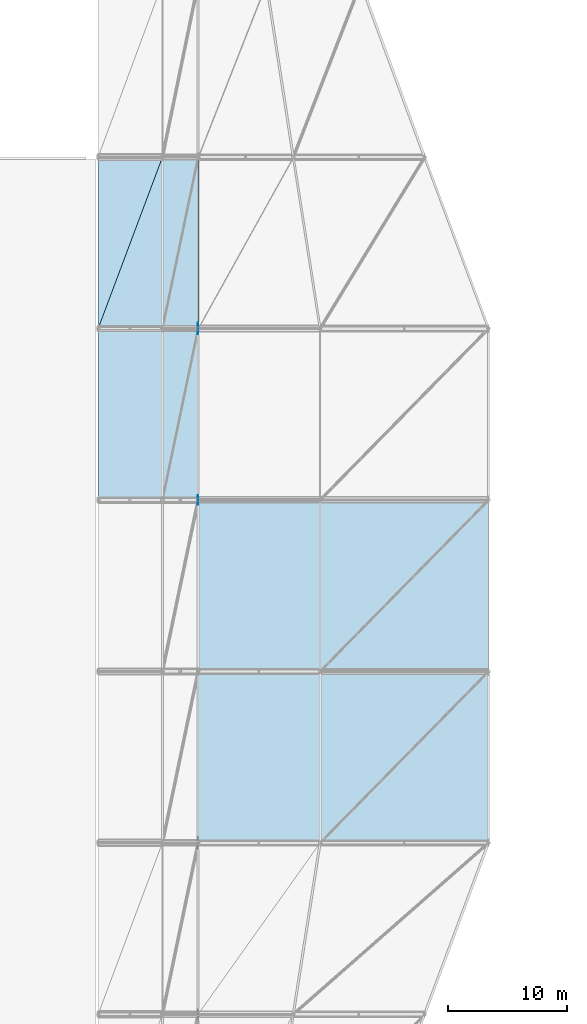
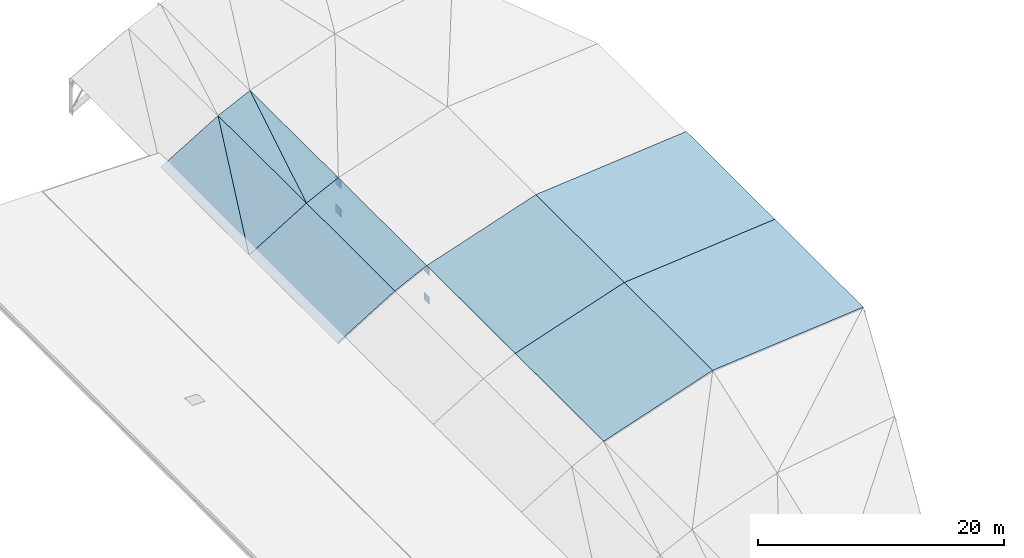
# One storey, part 26 of 36: 10 slabs, 4 plates.
"""IFC4 building model written with IfcOpenShell, lengths in metres."""

from ifc_helpers import new_model, si_unit, direction, frame, origin, origin_2d, place, context, subcontext, project, spatial, polyline, rectangle, outline, extrude, material, layer, layer_set, type_object, element, save


model = new_model("IFC4")

# Units and contexts
model_context = context("Model", 3, precision=1e-05, world=origin(), true_north=direction((0.0, 1.0)))
body_context = subcontext(model_context, "Body", "Model", "MODEL_VIEW")
ifc_project = project(units=[si_unit("LENGTHUNIT", "METRE"), si_unit("AREAUNIT", "SQUARE_METRE"), si_unit("VOLUMEUNIT", "CUBIC_METRE"), si_unit("PLANEANGLEUNIT", "RADIAN"), si_unit("MASSUNIT", "GRAM", prefix="KILO")], contexts=[model_context])

# Site, building, storey
site_placement = place(None, origin())
site = spatial("IfcSite", under=ifc_project, at=site_placement, CompositionType="ELEMENT")
building_placement = place(site_placement, origin())
building = spatial("IfcBuilding", under=site, at=building_placement, Name="Koshinbarg Plaza Stadium", CompositionType="ELEMENT")
storey_placement = place(building_placement, frame((0.0, 0.0, 34.199951171875)))
storey = spatial("IfcBuildingStorey", under=building, at=storey_placement, Name="RF", CompositionType="ELEMENT", Elevation=34.199951171875)

# Plates
ifc_material_1 = material(Name="Steel S355", Category="steel")
ifc_layer_1 = layer(ifc_material_1, 0.034912109375)
ifc_layer_set_1 = layer_set([ifc_layer_1], Name="Steel S355")
plate_type_1 = type_object("IfcPlateType", Name="PLT-GUS-02", PredefinedType="USERDEFINED", material=ifc_layer_set_1)
for number, where, z_axis, x_axis, name in (
    (1, (54.60009765625, 83.10009765625, 2.41015625), (0.0, 0.0, 1.0), (1.0, 0.0, 0.0), "Roof truss node cap plate KN-03 WRB-05-3T"),
    (2, (54.60009765625, 83.10009765625, -0.39013671875), (0.0, 0.0, 1.0), (1.0, 0.0, 0.0), "Roof truss node cap plate KN-03 WRB-05-3B"),
):
    element("IfcPlate", number, at=place(storey_placement, frame(where, z_axis=z_axis, x_axis=x_axis)), inside=storey, type_object=plate_type_1, Name=name, ObjectType="GUSSET_PLATE", PredefinedType="USERDEFINED", context=body_context, shape_type="SweptSolid", body=[
        extrude(rectangle(XDim=0.034912109375, YDim=0.800048828125, at=origin_2d()), origin(), (0.0, 0.0, 1.0), 0.699951171875),
    ])
ifc_layer_2 = layer(ifc_material_1, 0.0380859375)
ifc_layer_set_2 = layer_set([ifc_layer_2], Name="Steel S355")
plate_type_2 = type_object("IfcPlateType", Name="PLT-GUS-03", PredefinedType="USERDEFINED", material=ifc_layer_set_2)
for number, where, z_axis, x_axis, name in (
    (3, (54.60009765625, 97.5, 2.35986328125), (0.0, 0.0, 1.0), (1.0, 0.0, 0.0), "Roof truss node cap plate KN-03 WRB-06-3T"),
    (4, (54.60009765625, 97.5, -0.43994140625), (0.0, 0.0, 1.0), (1.0, 0.0, 0.0), "Roof truss node cap plate KN-03 WRB-06-3B"),
):
    element("IfcPlate", number, at=place(storey_placement, frame(where, z_axis=z_axis, x_axis=x_axis)), inside=storey, type_object=plate_type_2, Name=name, ObjectType="GUSSET_PLATE", PredefinedType="USERDEFINED", context=body_context, shape_type="SweptSolid", body=[
        extrude(rectangle(XDim=0.0380859375, YDim=0.949951171875, at=origin_2d()), origin(), (0.0, 0.0, 1.0), 0.800048828125),
    ])

# Slabs
ifc_material_2 = material(Name="Precast concrete C40/50", Category="concrete")
ifc_layer_3 = layer(ifc_material_2, 0.159912109375)
ifc_layer_set_3 = layer_set([ifc_layer_3], Name="Precast concrete C40/50")
slab_type = type_object("IfcSlabType", Name="SL-BARRELDECK-160", PredefinedType="ROOF", material=ifc_layer_set_3)
slab_1_placement = place(storey_placement, frame((54.60009765625, 54.300048828125, 3.199951171875), z_axis=(-0.319969871027, 0.0, 0.947427718422), x_axis=(0.947427718422, 0.0, 0.319969871027)))
element("IfcSlab", 5, at=slab_1_placement, inside=storey, type_object=slab_type, Name="Quarter-barrel stand roof deck west bay 3.3", PredefinedType="ROOF", context=body_context, shape_type="SweptSolid", body=[
    extrude(outline(polyline([(0.0, 0.0), (10.816448088978655, 0.0), (10.816448088978655, 14.399902343750004), (0.0, 14.399902343750004), (0.0, 0.0)])), origin(), (0.0, 0.0, -1.0), 0.159912109375),
])
slab_2_placement = place(storey_placement, frame((64.847900390625, 54.300048828125, 6.660888671875), z_axis=(-0.093248659413, 0.0, 0.995642851387), x_axis=(0.995642851387, 0.0, 0.093248659413)))
element("IfcSlab", 6, at=slab_2_placement, inside=storey, type_object=slab_type, Name="Quarter-barrel stand roof deck west bay 3.4", PredefinedType="ROOF", context=body_context, shape_type="SweptSolid", body=[
    extrude(outline(polyline([(0.0, 0.0), (14.21403226032544, 0.0), (14.21403226032544, 14.399902343750004), (0.0, 14.399902343750004), (0.0, 0.0)])), origin(), (0.0, 0.0, -1.0), 0.159912109375),
])
slab_3_placement = place(storey_placement, frame((54.60009765625, 68.699951171875, 3.199951171875), z_axis=(-0.319969871027, 0.0, 0.947427718422), x_axis=(0.947427718422, 0.0, 0.319969871027)))
element("IfcSlab", 7, at=slab_3_placement, inside=storey, type_object=slab_type, Name="Quarter-barrel stand roof deck west bay 4.3", PredefinedType="ROOF", context=body_context, shape_type="SweptSolid", body=[
    extrude(outline(polyline([(0.0, 0.0), (10.816448088978655, 0.0), (10.816448088978655, 14.400146484375004), (0.0, 14.400146484375004), (0.0, 0.0)])), origin(), (0.0, 0.0, -1.0), 0.159912109375),
])
slab_4_placement = place(storey_placement, frame((64.847900390625, 68.699951171875, 6.660888671875), z_axis=(-0.093248659413, 0.0, 0.995642851387), x_axis=(0.995642851387, 0.0, 0.093248659413)))
element("IfcSlab", 8, at=slab_4_placement, inside=storey, type_object=slab_type, Name="Quarter-barrel stand roof deck west bay 4.4", PredefinedType="ROOF", context=body_context, shape_type="SweptSolid", body=[
    extrude(outline(polyline([(0.0, 0.0), (14.21403226032544, 0.0), (14.21403226032544, 14.400146484375), (0.0, 14.400146484375), (0.0, 0.0)])), origin(), (0.0, 0.0, -1.0), 0.159912109375),
])
slab_5_placement = place(storey_placement, frame((46.199951171875, 83.10009765625, -1.56005859375), z_axis=(-0.519700630377, 0.0, 0.854348438745), x_axis=(0.854348438745, 0.0, 0.519700630377)))
element("IfcSlab", 9, at=slab_5_placement, inside=storey, type_object=slab_type, Name="Quarter-barrel stand roof deck west bay 5.1", PredefinedType="ROOF", context=body_context, shape_type="SweptSolid", body=[
    extrude(outline(polyline([(0.0, 0.0), (6.3207776118944565, 0.0), (6.3207776118944565, 14.39990234375), (0.0, 14.39990234375), (0.0, 0.0)])), origin(), (0.0, 0.0, -1.0), 0.159912109375),
])
slab_6_placement = place(storey_placement, frame((51.60009765625, 83.10009765625, 1.724853515625), z_axis=(-0.441244459257, 0.0, 0.897386943952), x_axis=(0.897386943952, 0.0, 0.441244459257)))
element("IfcSlab", 10, at=slab_6_placement, inside=storey, type_object=slab_type, Name="Quarter-barrel stand roof deck west bay 5.2", PredefinedType="ROOF", context=body_context, shape_type="SweptSolid", body=[
    extrude(outline(polyline([(0.0, 0.0), (3.343039499538443, 0.0), (3.343039499538443, 14.399902343750004), (0.0, 14.399902343750004), (0.0, 0.0)])), origin(), (0.0, 0.0, -1.0), 0.159912109375),
])
slab_7_placement = place(storey_placement, frame((46.199951171875, 97.5, -1.56005859375), z_axis=(-0.519698960716, 0.002534849555, 0.854345693949), x_axis=(0.854348438745, 0.0, 0.519700630377)))
element("IfcSlab", 11, at=slab_7_placement, inside=storey, type_object=slab_type, Name="Quarter-barrel stand roof deck west bay 6.1A", PredefinedType="ROOF", context=body_context, shape_type="SweptSolid", body=[
    extrude(outline(polyline([(0.0, 0.0), (6.3207776118944565, -1.734723475976807e-18), (6.298573605469653, 14.399948606987513), (0.0, 0.0)])), origin(), (0.0, 0.0, -1.0), 0.159912109375),
])
slab_8_placement = place(storey_placement, frame((46.199951171875, 97.5, -1.56005859375), z_axis=(-0.514740838237, 0.0, 0.857345828386), x_axis=(0.343581845871, 0.916187188984, 0.206282694207)))
element("IfcSlab", 12, at=slab_8_placement, inside=storey, type_object=slab_type, Name="Quarter-barrel stand roof deck west bay 6.1B", PredefinedType="ROOF", context=body_context, shape_type="SweptSolid", body=[
    extrude(outline(polyline([(0.0, 0.0), (15.717205519665407, 1.1102230246251565e-15), (13.19300604996804, 5.7707693486261835), (0.0, 0.0)])), origin(), (0.0, 0.0, -1.0), 0.159912109375),
])
slab_9_placement = place(storey_placement, frame((51.60009765625, 97.5, 1.724853515625), z_axis=(-0.441241059843, 0.003925333963, 0.897380030345), x_axis=(0.897386943952, 0.0, 0.441244459257)))
element("IfcSlab", 13, at=slab_9_placement, inside=storey, type_object=slab_type, Name="Quarter-barrel stand roof deck west bay 6.2A", PredefinedType="ROOF", context=body_context, shape_type="SweptSolid", body=[
    extrude(outline(polyline([(0.0, 0.0), (3.343039499538443, 0.0), (3.3152462694387332, 14.400013283656104), (0.0, 0.0)])), origin(), (0.0, 0.0, -1.0), 0.159912109375),
])
slab_10_placement = place(storey_placement, frame((51.60009765625, 97.5, 1.724853515625), z_axis=(-0.436342016951, 0.002669644334, 0.899776926378), x_axis=(0.203022150186, 0.9744997121, 0.095563160537)))
element("IfcSlab", 14, at=slab_10_placement, inside=storey, type_object=slab_type, Name="Quarter-barrel stand roof deck west bay 6.2B", PredefinedType="ROOF", context=body_context, shape_type="SweptSolid", body=[
    extrude(outline(polyline([(0.0, 0.0), (14.776712773702398, -1.1102230246251565e-16), (14.028617789540723, 3.249137703570684), (0.0, 0.0)])), origin(), (0.0, 0.0, -1.0), 0.159912109375),
])

save(model, "model.ifc")
